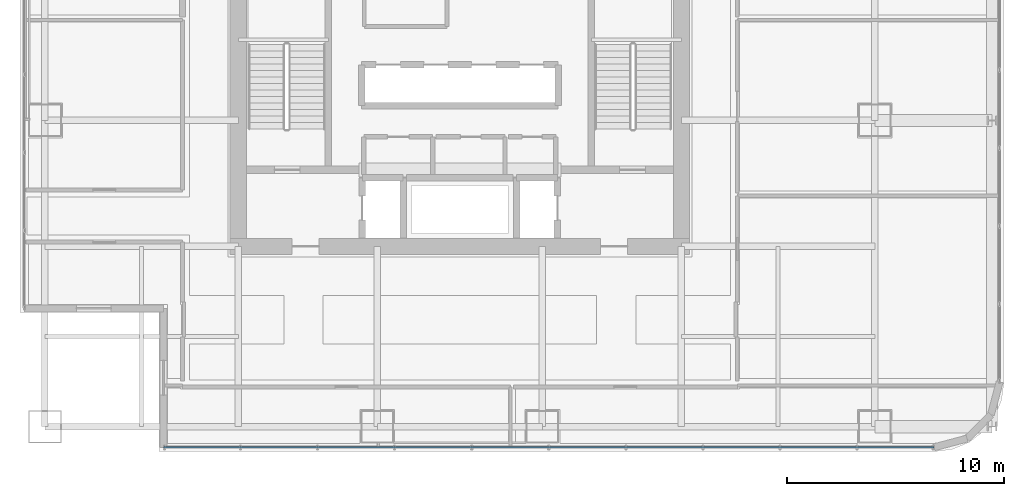
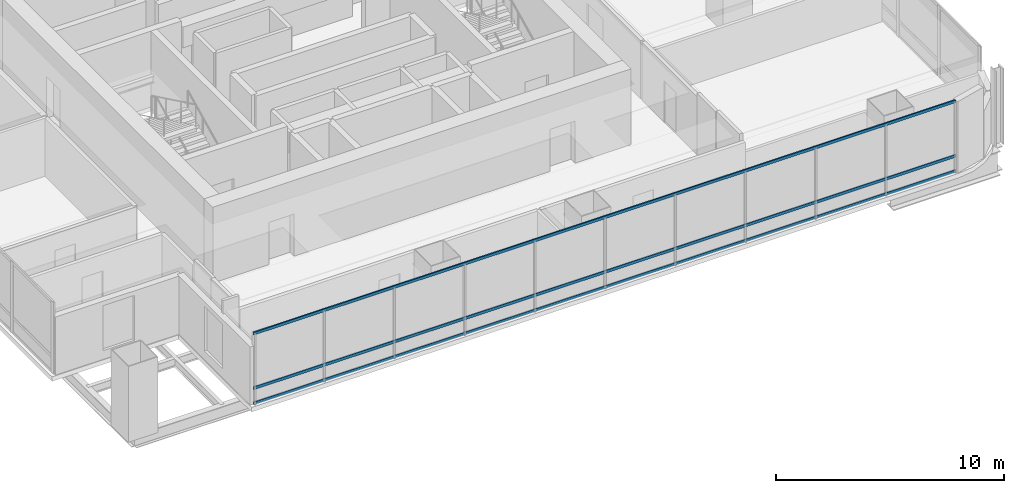
# One storey, part 6 of 35: 3 members, 1 element without a shape of its own.
"""IFC4 building model written with IfcOpenShell, lengths in metres."""

from ifc_helpers import new_model, si_unit, direction, frame, origin, origin_2d, place, context, subcontext, project, spatial, hollow_rectangle, extrude, material, material_profile, profile_set, type_object, element, aggregate, save


model = new_model("IFC4")

# Units and contexts
model_context = context("Model", 3, precision=1e-05, world=origin(), true_north=direction((0.0, 1.0)))
body_context = subcontext(model_context, "Body", "Model", "MODEL_VIEW")
ifc_project = project(units=[si_unit("LENGTHUNIT", "METRE"), si_unit("AREAUNIT", "SQUARE_METRE"), si_unit("VOLUMEUNIT", "CUBIC_METRE"), si_unit("PLANEANGLEUNIT", "RADIAN"), si_unit("MASSUNIT", "GRAM", prefix="KILO")], contexts=[model_context])

# Site, building, storey
site_placement = place(None, origin())
site = spatial("IfcSite", under=ifc_project, at=site_placement, CompositionType="ELEMENT")
building_placement = place(site_placement, origin())
building = spatial("IfcBuilding", under=site, at=building_placement, Name="Punatoya Terracotta Tower", CompositionType="ELEMENT")
storey_placement = place(building_placement, frame((0.0, 0.0, 113.25)))
storey = spatial("IfcBuildingStorey", under=building, at=storey_placement, Name="L26", CompositionType="ELEMENT", Elevation=113.25)

# Curtain wall, members
ifc_material_1 = material(Name="Aluminium 6063-T6 + Double Low-E Glass", Category="aluminium")
curtain_wall_type = type_object("IfcCurtainWallType", Name="CW-M1", PredefinedType="NOTDEFINED", material=ifc_material_1)
curtain_wall_placement = place(storey_placement, origin())
curtain_wall = element("IfcCurtainWall", 1, at=curtain_wall_placement, inside=storey, type_object=curtain_wall_type, Name="L26 Curtain Wall CW-L26-S01-1", PredefinedType="NOTDEFINED")
ifc_material_2 = material(Name="Aluminium 6063-T6", Category="aluminium")
ifc_material_profile = material_profile(ifc_material_2, hollow_rectangle(XDim=0.068115234375, YDim=0.14990234375, WallThickness=0.00390625, at=origin_2d()))
ifc_profile_set = profile_set([ifc_material_profile], Name="Aluminium 6063-T6")
member_type = type_object("IfcMemberType", Name="CW-TRN-TYP", PredefinedType="USERDEFINED", material=ifc_profile_set)
member_1_placement = place(storey_placement, frame((-13.64990234375, -18.449951171875, 0.0400390625), z_axis=(1.0, 0.0, 0.0), x_axis=(0.0, 1.0, 0.0)))
member_1 = element("IfcMember", 2, at=member_1_placement, type_object=member_type, Name="CW-L26-S01-1 Transom 1", ObjectType="TRANSOM", PredefinedType="USERDEFINED", context=body_context, shape_type="SweptSolid", body=[
    extrude(hollow_rectangle(XDim=0.068115234375, YDim=0.14990234375, WallThickness=0.00390625, at=origin_2d()), origin(), (0.0, 0.0, 1.0), 35.48681640625),
])
member_2_placement = place(storey_placement, frame((-13.64990234375, -18.449951171875, 0.85009765625), z_axis=(1.0, 0.0, 0.0), x_axis=(0.0, 1.0, 0.0)))
member_2 = element("IfcMember", 3, at=member_2_placement, type_object=member_type, Name="CW-L26-S01-1 Transom 2", ObjectType="TRANSOM", PredefinedType="USERDEFINED", context=body_context, shape_type="SweptSolid", body=[
    extrude(hollow_rectangle(XDim=0.068115234375, YDim=0.14990234375, WallThickness=0.00390625, at=origin_2d()), origin(), (0.0, 0.0, 1.0), 35.48681640625),
])
member_3_placement = place(storey_placement, frame((-13.64990234375, -18.449951171875, 3.77001953125), z_axis=(1.0, 0.0, 0.0), x_axis=(0.0, 1.0, 0.0)))
member_3 = element("IfcMember", 4, at=member_3_placement, type_object=member_type, Name="CW-L26-S01-1 Transom 3", ObjectType="TRANSOM", PredefinedType="USERDEFINED", context=body_context, shape_type="SweptSolid", body=[
    extrude(hollow_rectangle(XDim=0.068115234375, YDim=0.14990234375, WallThickness=0.00390625, at=origin_2d()), origin(), (0.0, 0.0, 1.0), 35.48681640625),
])
aggregate(curtain_wall, [member_1, member_2, member_3])

save(model, "model.ifc")
